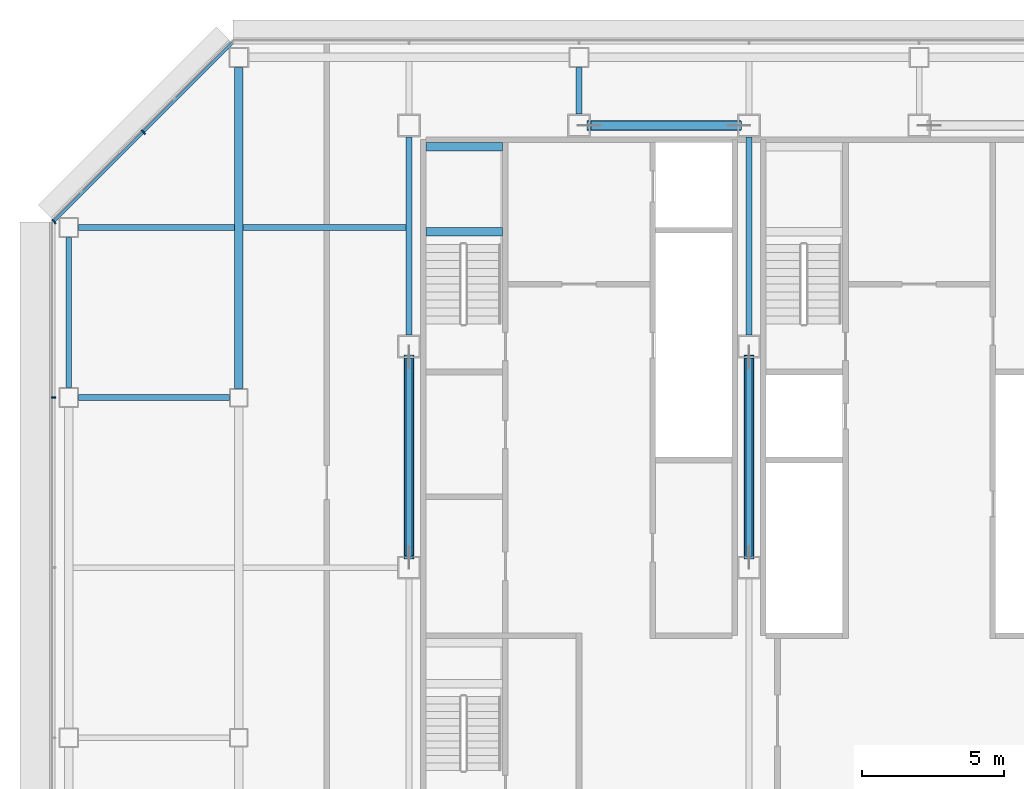
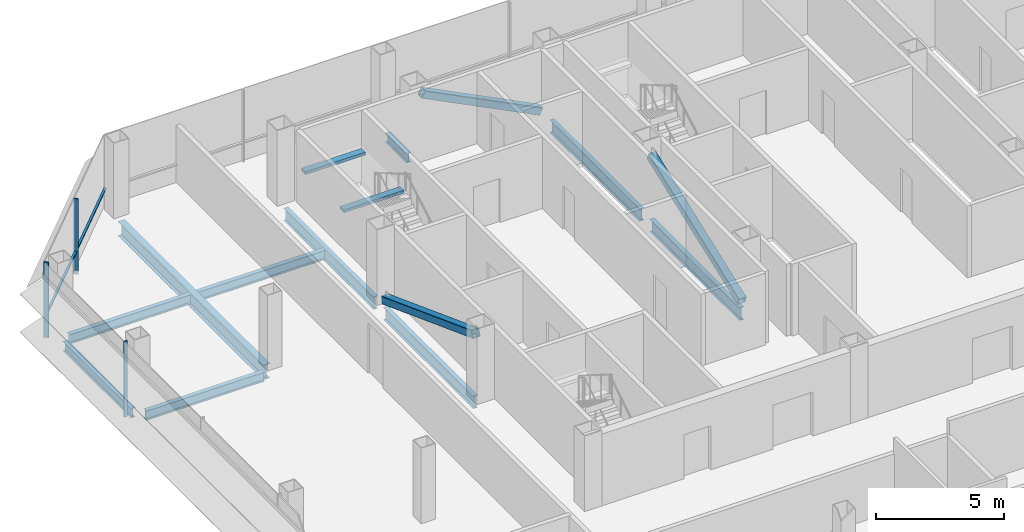
# One storey, part 11 of 24: 12 beams, 7 members, 2 elements without a shape of their own.
"""IFC4 building model written with IfcOpenShell, lengths in metres."""

import ifcopenshell
import ifcopenshell.guid

model = None  # the IFC model being written
_history = None  # IfcOwnerHistory: only IFC2X3 demands one
_inside = {}  # id of a spatial element -> (the spatial element, [elements in it])
_under = {}  # id of a project, library or spatial element -> (it, [spatial elements below it])
_declared = {}  # id of a project -> (the project, [libraries it declares])
_typed = {}  # id of a type object -> (the type object, [elements of that type])
_made_of = {}  # id of a material, layer set ... -> (it, [elements and type objects made of it])


def new_model(schema):
    """Start an empty IFC model of exactly this schema.

    Asked for "IFC4X3", IfcOpenShell would pick the latest addendum, in which some entities
    have other attributes; the version numbers below select the first issue.
    IFC2X3 requires an IfcOwnerHistory on every rooted entity: one is made here for all.
    """
    global model, _history
    if schema == "IFC4X3":
        model = ifcopenshell.file(schema_version=(4, 3, 0, 0))
    else:
        model = ifcopenshell.file(schema=schema)
    _inside.clear()
    _under.clear()
    _declared.clear()
    _typed.clear()
    _made_of.clear()
    _history = None
    if model.schema == "IFC2X3":
        org = make("IfcOrganization", Name="unknown")
        user = make(
            "IfcPersonAndOrganization",
            ThePerson=make("IfcPerson", FamilyName="unknown"),
            TheOrganization=org,
        )
        app = make(
            "IfcApplication",
            ApplicationDeveloper=org,
            Version="unknown",
            ApplicationFullName="unknown",
            ApplicationIdentifier="unknown",
        )
        _history = make(
            "IfcOwnerHistory",
            OwningUser=user,
            OwningApplication=app,
            ChangeAction="ADDED",
            CreationDate=0,
        )
    return model


def make(cls, **values):
    """One entity of the class cls with the attributes given. An attribute that is None is left unset."""
    return model.create_entity(
        cls, **{name: value for name, value in values.items() if value is not None}
    )


def rooted(cls, **values):
    """An entity with a GlobalId (a new one), such as an element, a storey or a relation."""
    return make(cls, GlobalId=ifcopenshell.guid.new(), OwnerHistory=_history, **values)


def si_unit(unit_type, name, prefix=None):
    """IfcSIUnit, for example si_unit("LENGTHUNIT", "METRE", prefix="MILLI")."""
    return make("IfcSIUnit", UnitType=unit_type, Prefix=prefix, Name=name)


def assignment(units):
    """IfcUnitAssignment: the units of a project."""
    return None if units is None else make("IfcUnitAssignment", Units=units)


def point(xyz):
    """IfcCartesianPoint."""
    return None if xyz is None else make("IfcCartesianPoint", Coordinates=xyz)


def direction(xyz):
    """IfcDirection."""
    return None if xyz is None else make("IfcDirection", DirectionRatios=xyz)


def frame(location, z_axis=None, x_axis=None):
    """IfcAxis2Placement3D, a coordinate frame: its origin and axes. An axis left out is left unset."""
    return make(
        "IfcAxis2Placement3D",
        Location=point(location),
        Axis=direction(z_axis),
        RefDirection=direction(x_axis),
    )


def frame_2d(location, x_axis=None):
    """IfcAxis2Placement2D, a coordinate frame in the plane: its origin and x axis."""
    return make(
        "IfcAxis2Placement2D", Location=point(location), RefDirection=direction(x_axis)
    )


def origin():
    """The frame at (0, 0, 0) with its axes left unset."""
    return frame((0.0, 0.0, 0.0))


def origin_2d():
    """The frame at (0, 0) in the plane with its x axis left unset."""
    return frame_2d((0.0, 0.0))


def place(relative_to, where):
    """IfcLocalPlacement: puts the frame where relative to a parent placement (None: the world)."""
    return make(
        "IfcLocalPlacement", PlacementRelTo=relative_to, RelativePlacement=where
    )


def context(
    kind, dimensions, precision=None, world=None, true_north=None, identifier=None
):
    """IfcGeometricRepresentationContext, for example the 3D "Model" context."""
    return make(
        "IfcGeometricRepresentationContext",
        ContextIdentifier=identifier,
        ContextType=kind,
        CoordinateSpaceDimension=dimensions,
        Precision=precision,
        WorldCoordinateSystem=world,
        TrueNorth=true_north,
    )


def subcontext(parent, identifier, kind, view, scale=None):
    """IfcGeometricRepresentationSubContext, for example "Body" below "Model"."""
    return make(
        "IfcGeometricRepresentationSubContext",
        ContextIdentifier=identifier,
        ContextType=kind,
        ParentContext=parent,
        TargetScale=scale,
        TargetView=view,
    )


def project(units=None, contexts=None):
    """IfcProject with its units and contexts."""
    return rooted(
        "IfcProject",
        Name="project",
        RepresentationContexts=contexts,
        UnitsInContext=assignment(units),
    )


def spatial(cls, under=None, at=None, **own):
    """A site, building, storey or space (cls), placed at a placement, below another one or the project."""
    s = rooted(cls, ObjectPlacement=at, **own)
    if under is not None:
        _under.setdefault(under.id(), (under, []))[1].append(s)
    return s


def profile(cls, at=None, kind="AREA", **sizes):
    """A parametric profile (cls). Its sizes go by their IFC names, for example OverallWidth=200.0."""
    return make(cls, ProfileType=kind, Position=at, **sizes)


def rectangle(**sizes):
    """IfcRectangleProfileDef."""
    return profile("IfcRectangleProfileDef", **sizes)


def hollow_rectangle(**sizes):
    """IfcRectangleHollowProfileDef."""
    return profile("IfcRectangleHollowProfileDef", **sizes)


def i_section(**sizes):
    """IfcIShapeProfileDef."""
    return profile("IfcIShapeProfileDef", **sizes)


def extrude(swept, where, along, depth):
    """IfcExtrudedAreaSolid: the profile swept, set in the frame where, extruded along a direction by depth."""
    return make(
        "IfcExtrudedAreaSolid",
        SweptArea=swept,
        Position=where,
        ExtrudedDirection=direction(along),
        Depth=depth,
    )


def shape(context_of_items, identifier, shape_type, items):
    """IfcShapeRepresentation: the items that make up one representation, for example the "Body"."""
    return make(
        "IfcShapeRepresentation",
        ContextOfItems=context_of_items,
        RepresentationIdentifier=identifier,
        RepresentationType=shape_type,
        Items=items,
    )


def material(Name=None, Category=None):
    """IfcMaterial."""
    return make("IfcMaterial", Name=Name, Category=Category)


def material_profile(
    of_material, cross_section, Name=None, Category=None, Priority=None
):
    """IfcMaterialProfile: a cross section and its material."""
    return make(
        "IfcMaterialProfile",
        Name=Name,
        Material=of_material,
        Profile=cross_section,
        Priority=Priority,
        Category=Category,
    )


def profile_set(profiles, Name=None, composite=None):
    """IfcMaterialProfileSet."""
    return make(
        "IfcMaterialProfileSet",
        Name=Name,
        MaterialProfiles=profiles,
        CompositeProfile=composite,
    )


def made_of(thing, what):
    """Note that an element or type object is made of a material, layer set ...; save() writes the relation."""
    if what is not None:
        _made_of.setdefault(what.id(), (what, []))[1].append(thing)
    return thing


def type_object(cls, material=None, **own):
    """A type object (cls), such as IfcWallType, which elements share."""
    return made_of(rooted(cls, **own), material)


def element(
    cls,
    number,
    at=None,
    inside=None,
    cuts=None,
    type_object=None,
    material=None,
    context=None,
    identifier="Body",
    shape_type=None,
    held_by="IfcProductDefinitionShape",
    body=None,
    shapes=None,
    **own,
):
    """One element of the class cls, such as IfcWall. Its Tag is "e" and its number.

    at: its placement. inside: the storey or other place that contains it. cuts: it is an
    opening in that element (IfcRelVoidsElement). A single representation is given by context,
    identifier, shape_type and body (its items); several are given by shapes. held_by: the class
    of the entity that holds the representations. save() writes the other relations.
    """
    e = rooted(cls, Tag="e%d" % number, ObjectPlacement=at, **own)
    if body is not None:
        shapes = [shape(context, identifier, shape_type, body)]
    if shapes is not None:
        e.Representation = make(held_by, Representations=shapes)
    if inside is not None:
        _inside.setdefault(inside.id(), (inside, []))[1].append(e)
    if cuts is not None:
        rooted(
            "IfcRelVoidsElement", RelatingBuildingElement=cuts, RelatedOpeningElement=e
        )
    if type_object is not None:
        _typed.setdefault(type_object.id(), (type_object, []))[1].append(e)
    return made_of(e, material)


def aggregate(whole, parts):
    """IfcRelAggregates: a whole, such as a stair, and the parts it consists of."""
    return rooted("IfcRelAggregates", RelatingObject=whole, RelatedObjects=parts)


def save(model, path):
    """Write the relations noted so far, then the file.

    IfcRelAggregates (storeys below a building ...), IfcRelContainedInSpatialStructure (elements
    in a storey), IfcRelDefinesByType, IfcRelAssociatesMaterial and IfcRelDeclares: one each for
    every whole, place, type object, material and project.
    """
    for whole, parts in _under.values():
        aggregate(whole, parts)
    for where, things in _inside.values():
        rooted(
            "IfcRelContainedInSpatialStructure",
            RelatedElements=things,
            RelatingStructure=where,
        )
    for kind, things in _typed.values():
        rooted("IfcRelDefinesByType", RelatedObjects=things, RelatingType=kind)
    for what, things in _made_of.values():
        rooted("IfcRelAssociatesMaterial", RelatedObjects=things, RelatingMaterial=what)
    for by, libraries in _declared.values():
        rooted("IfcRelDeclares", RelatingContext=by, RelatedDefinitions=libraries)
    model.write(path)


model = new_model("IFC4")

# Units and contexts
model_context = context("Model", 3, precision=1e-05, world=origin(), true_north=direction((0.0, 1.0)))
body_context = subcontext(model_context, "Body", "Model", "MODEL_VIEW")
ifc_project = project(units=[si_unit("LENGTHUNIT", "METRE"), si_unit("AREAUNIT", "SQUARE_METRE"), si_unit("VOLUMEUNIT", "CUBIC_METRE"), si_unit("PLANEANGLEUNIT", "RADIAN"), si_unit("MASSUNIT", "GRAM", prefix="KILO")], contexts=[model_context])

# Site, building, storey
site_placement = place(None, origin())
site = spatial("IfcSite", under=ifc_project, at=site_placement, CompositionType="ELEMENT")
building_placement = place(site_placement, origin())
building = spatial("IfcBuilding", under=site, at=building_placement, Name="Sorahane Residences", CompositionType="ELEMENT")
storey_placement = place(building_placement, frame((0.0, 0.0, 170.800048828125)))
storey = spatial("IfcBuildingStorey", under=building, at=storey_placement, Name="L39", CompositionType="ELEMENT", Elevation=170.800048828125)

# Members
ifc_material_1 = material(Name="Steel Q355B", Category="steel")
ifc_material_profile_1 = material_profile(ifc_material_1, hollow_rectangle(XDim=0.35009765625, YDim=0.35009765625, WallThickness=0.01806640625, InnerFilletRadius=0.009033203125, OuterFilletRadius=0.027099609375, at=origin_2d()), Name="RHS 350x350x18")
ifc_profile_set_1 = profile_set([ifc_material_profile_1], Name="Steel Q355B")
member_type_1 = type_object("IfcMemberType", Name="Core brace RHS 350x350x18 Q355B", PredefinedType="BRACE", material=ifc_profile_set_1)
member_1_placement = place(storey_placement, frame((17.647216796875, 45.60009765625, 0.151123046875), z_axis=(-0.893039246852, 0.0, 0.449978781258), x_axis=(0.0, -1.0, 0.0)))
element("IfcMember", 1, at=member_1_placement, inside=storey, type_object=member_type_1, Name="Core brace L39 y45.6-2", PredefinedType="BRACE", context=body_context, shape_type="SweptSolid", body=[
    extrude(hollow_rectangle(XDim=0.35009765625, YDim=0.35009765625, WallThickness=0.01806640625, InnerFilletRadius=0.009033203125, OuterFilletRadius=0.027099609375, at=origin_2d()), origin(), (0.0, 0.0, 1.0), 5.928466796875),
])
for number, where, z_axis, x_axis, name in (
    (2, (6.0, 37.436767578125, 0.1611328125), (0.0, -0.936540224974, 0.350560133222), (1.0, 0.0, 0.0), "Core brace L39 x6-2"),
    (3, (18.0, 30.36328125, 0.1611328125), (0.0, 0.936540224974, 0.350560133222), (-1.0, 0.0, 0.0), "Core brace L39 x18-1"),
):
    element("IfcMember", number, at=place(storey_placement, frame(where, z_axis=z_axis, x_axis=x_axis)), inside=storey, type_object=member_type_1, Name=name, PredefinedType="BRACE", context=body_context, shape_type="SweptSolid", body=[
        extrude(hollow_rectangle(XDim=0.35009765625, YDim=0.35009765625, WallThickness=0.01806640625, InnerFilletRadius=0.009033203125, OuterFilletRadius=0.027099609375, at=origin_2d()), origin(), (0.0, 0.0, 1.0), 7.552734375),
    ])

# Curtain wall, member
ifc_material_2 = material(Name="Dark low-e glass and black anodised aluminium", Category="aluminium")
curtain_wall_type_1 = type_object("IfcCurtainWallType", Name="Curtain wall CW-1 Typical unitised wall", PredefinedType="NOTDEFINED", material=ifc_material_2)
curtain_wall_1_placement = place(storey_placement, origin())
curtain_wall_1 = element("IfcCurtainWall", 4, at=curtain_wall_1_placement, inside=storey, type_object=curtain_wall_type_1, Name="CW-1 curtain wall L39 W1", PredefinedType="NOTDEFINED")
ifc_material_3 = material(Name="Black anodised aluminium", Category="aluminium")
ifc_material_profile_2 = material_profile(ifc_material_3, rectangle(XDim=0.159912109375, YDim=0.050048828125, at=origin_2d()), Name="Curtain wall mullion CW-1 black anodised aluminium 50x160")
ifc_profile_set_2 = profile_set([ifc_material_profile_2], Name="Black anodised aluminium")
member_type_2 = type_object("IfcMemberType", Name="Curtain wall mullion CW-1 black anodised aluminium 50x160", PredefinedType="MULLION", material=ifc_profile_set_2)
member_2_placement = place(storey_placement, frame((-6.5400390625, 36.0, -0.179931640625), z_axis=(0.0, 0.0, 1.0), x_axis=(-1.0, 0.0, 0.0)))
member_2 = element("IfcMember", 5, at=member_2_placement, type_object=member_type_2, Name="CW-1 mullion L39 W1.2", PredefinedType="MULLION", context=body_context, shape_type="SweptSolid", body=[
    extrude(rectangle(XDim=0.159912109375, YDim=0.050048828125, at=origin_2d()), origin(), (0.0, 0.0, 1.0), 3.599853515625),
])
aggregate(curtain_wall_1, [member_2])

# Curtain wall, members
ifc_material_4 = material(Name="Dark low-e glass and black anodised aluminium", Category="aluminium")
curtain_wall_type_2 = type_object("IfcCurtainWallType", Name="Curtain wall CW-2 Chamfer unitised wall", PredefinedType="NOTDEFINED", material=ifc_material_4)
curtain_wall_2_placement = place(storey_placement, origin())
curtain_wall_2 = element("IfcCurtainWall", 6, at=curtain_wall_2_placement, inside=storey, type_object=curtain_wall_type_2, Name="CW-2 curtain wall L39 NW1", PredefinedType="NOTDEFINED")
ifc_material_5 = material(Name="Black anodised aluminium", Category="aluminium")
ifc_material_profile_3 = material_profile(ifc_material_5, rectangle(XDim=0.199951171875, YDim=0.050048828125, at=origin_2d()), Name="Curtain wall mullion CW-2 black anodised aluminium 50x200")
ifc_profile_set_3 = profile_set([ifc_material_profile_3], Name="Black anodised aluminium")
member_type_3 = type_object("IfcMemberType", Name="Curtain wall mullion CW-2 black anodised aluminium 50x200", PredefinedType="MULLION", material=ifc_profile_set_3)
member_3_placement = place(storey_placement, frame((-3.36767578125, 45.36767578125, -0.179931640625), z_axis=(0.0, 0.0, 1.0), x_axis=(-0.707106781187, 0.707106781187, 0.0)))
member_3 = element("IfcMember", 7, at=member_3_placement, type_object=member_type_3, Name="CW-2 mullion L39 NW1.2", PredefinedType="MULLION", context=body_context, shape_type="SweptSolid", body=[
    extrude(rectangle(XDim=0.199951171875, YDim=0.050048828125, at=origin_2d()), origin(), (0.0, 0.0, 1.0), 3.599853515625),
])
member_4_placement = place(storey_placement, frame((-6.525634765625, 42.209716796875, -0.179931640625), z_axis=(0.0, 0.0, 1.0), x_axis=(-0.707106781187, 0.707106781187, 0.0)))
member_4 = element("IfcMember", 8, at=member_4_placement, type_object=member_type_3, Name="CW-2 mullion L39 NW1.3", PredefinedType="MULLION", context=body_context, shape_type="SweptSolid", body=[
    extrude(rectangle(XDim=0.199951171875, YDim=0.050048828125, at=origin_2d()), origin(), (0.0, 0.0, 1.0), 3.599853515625),
])
ifc_material_6 = material(Name="Black anodised aluminium", Category="aluminium")
ifc_material_profile_4 = material_profile(ifc_material_6, rectangle(XDim=0.10009765625, YDim=0.06005859375, at=origin_2d()), Name="Curtain wall transom CW-2 black anodised aluminium 60x100")
ifc_profile_set_4 = profile_set([ifc_material_profile_4], Name="Black anodised aluminium")
member_type_4 = type_object("IfcMemberType", Name="Curtain wall transom CW-2 black anodised aluminium 60x100", PredefinedType="USERDEFINED", material=ifc_profile_set_4)
member_5_placement = place(storey_placement, frame((-0.234375, 48.51513671875, 0.89990234375), z_axis=(-0.707106781187, -0.707106781187, 0.0), x_axis=(0.707106781187, -0.707106781187, 0.0)))
member_5 = element("IfcMember", 9, at=member_5_placement, type_object=member_type_4, Name="CW-2 transom L39 NW1", ObjectType="TRANSOM", PredefinedType="USERDEFINED", context=body_context, shape_type="SweptSolid", body=[
    extrude(rectangle(XDim=0.10009765625, YDim=0.06005859375, at=origin_2d()), origin(), (0.0, 0.0, 1.0), 8.88232421875),
])
aggregate(curtain_wall_2, [member_3, member_4, member_5])

# Beams
ifc_material_7 = material(Name="Concrete C40", Category="concrete")
ifc_material_profile_5 = material_profile(ifc_material_7, rectangle(XDim=0.300048828125, YDim=0.139892578125, at=origin_2d()), Name="300x140")
ifc_profile_set_5 = profile_set([ifc_material_profile_5], Name="Concrete C40")
beam_type_1 = type_object("IfcBeamType", Name="RC landing beam 300 x 140 Concrete C40", PredefinedType="BEAM", material=ifc_profile_set_5)
for number, where, z_axis, x_axis, name in (
    (10, (6.60009765625, 41.85009765625, 1.530029296875), (1.0, 0.0, 0.0), (0.0, 1.0, 0.0), "Landing beam"),
    (11, (6.60009765625, 44.85009765625, 1.530029296875), (1.0, 0.0, 0.0), (0.0, 1.0, 0.0), "Landing beam"),
):
    element("IfcBeam", number, at=place(storey_placement, frame(where, z_axis=z_axis, x_axis=x_axis)), inside=storey, type_object=beam_type_1, Name=name, PredefinedType="BEAM", context=body_context, shape_type="SweptSolid", body=[
        extrude(rectangle(XDim=0.300048828125, YDim=0.139892578125, at=origin_2d()), origin(), (0.0, 0.0, 1.0), 2.699951171875),
    ])
ifc_material_8 = material(Name="Steel Q355B", Category="steel")
ifc_material_profile_6 = material_profile(ifc_material_8, i_section(OverallWidth=0.199951171875, OverallDepth=0.449951171875, WebThickness=0.009033203125, FlangeThickness=0.013916015625, FilletRadius=0.02001953125, at=origin_2d()), Name="HN 450x200x9x14")
ifc_profile_set_6 = profile_set([ifc_material_profile_6], Name="Steel Q355B")
beam_type_2 = type_object("IfcBeamType", Name="Steel floor beam HN 450x200x9x14 Q355B", PredefinedType="BEAM", material=ifc_profile_set_6)
beam_1_placement = place(storey_placement, frame((-5.64990234375, 36.0, -0.405029296875), z_axis=(1.0, 0.0, 0.0), x_axis=(0.0, 1.0, 0.0)))
element("IfcBeam", 12, at=beam_1_placement, inside=storey, type_object=beam_type_2, Name="Beam L39 013", PredefinedType="BEAM", context=body_context, shape_type="SweptSolid", body=[
    extrude(i_section(OverallWidth=0.199951171875, OverallDepth=0.449951171875, WebThickness=0.009033203125, FlangeThickness=0.013916015625, FilletRadius=0.02001953125, at=origin_2d()), origin(), (0.0, 0.0, 1.0), 5.324951171875),
])
beam_2_placement = place(storey_placement, frame((-6.0, 36.35009765625, -0.405029296875), z_axis=(0.0, 1.0, 0.0), x_axis=(-1.0, 0.0, 0.0)))
element("IfcBeam", 13, at=beam_2_placement, inside=storey, type_object=beam_type_2, Name="Beam L39 023", PredefinedType="BEAM", context=body_context, shape_type="SweptSolid", body=[
    extrude(i_section(OverallWidth=0.199951171875, OverallDepth=0.449951171875, WebThickness=0.009033203125, FlangeThickness=0.013916015625, FilletRadius=0.02001953125, at=origin_2d()), origin(), (0.0, 0.0, 1.0), 5.2998046875),
])
beam_3_placement = place(storey_placement, frame((12.0, 46.0, -0.405029296875), z_axis=(0.0, 1.0, 0.0), x_axis=(-1.0, 0.0, 0.0)))
element("IfcBeam", 14, at=beam_3_placement, inside=storey, type_object=beam_type_2, Name="Beam L39 035", PredefinedType="BEAM", context=body_context, shape_type="SweptSolid", body=[
    extrude(i_section(OverallWidth=0.199951171875, OverallDepth=0.449951171875, WebThickness=0.009033203125, FlangeThickness=0.013916015625, FilletRadius=0.02001953125, at=origin_2d()), origin(), (0.0, 0.0, 1.0), 1.64990234375),
])
beam_4_placement = place(storey_placement, frame((-5.64990234375, 42.0, -0.405029296875), z_axis=(1.0, 0.0, 0.0), x_axis=(0.0, 1.0, 0.0)))
element("IfcBeam", 15, at=beam_4_placement, inside=storey, type_object=beam_type_2, Name="Beam L39 089", PredefinedType="BEAM", context=body_context, shape_type="SweptSolid", body=[
    extrude(i_section(OverallWidth=0.199951171875, OverallDepth=0.449951171875, WebThickness=0.009033203125, FlangeThickness=0.013916015625, FilletRadius=0.02001953125, at=origin_2d()), origin(), (0.0, 0.0, 1.0), 5.5),
])
beam_5_placement = place(storey_placement, frame((0.14990234375, 42.0, -0.405029296875), z_axis=(1.0, 0.0, 0.0), x_axis=(0.0, 1.0, 0.0)))
element("IfcBeam", 16, at=beam_5_placement, inside=storey, type_object=beam_type_2, Name="Beam L39 090", PredefinedType="BEAM", context=body_context, shape_type="SweptSolid", body=[
    extrude(i_section(OverallWidth=0.199951171875, OverallDepth=0.449951171875, WebThickness=0.009033203125, FlangeThickness=0.013916015625, FilletRadius=0.02001953125, at=origin_2d()), origin(), (0.0, 0.0, 1.0), 5.75),
])
ifc_material_9 = material(Name="Steel Q355B", Category="steel")
ifc_material_profile_7 = material_profile(ifc_material_9, i_section(OverallWidth=0.199951171875, OverallDepth=0.60009765625, WebThickness=0.010986328125, FlangeThickness=0.01708984375, FilletRadius=0.02392578125, at=origin_2d()), Name="HN 600x200x11x17")
ifc_profile_set_7 = profile_set([ifc_material_profile_7], Name="Steel Q355B")
beam_type_3 = type_object("IfcBeamType", Name="Steel floor beam HN 600x200x11x17 Q355B", PredefinedType="BEAM", material=ifc_profile_set_7)
for number, where, z_axis, x_axis, name in (
    (17, (6.0, 30.39990234375, -0.47998046875), (0.0, 1.0, 0.0), (-1.0, 0.0, 0.0), "Beam L39 031"),
    (18, (6.0, 38.199951171875, -0.47998046875), (0.0, 1.0, 0.0), (-1.0, 0.0, 0.0), "Beam L39 032"),
    (19, (18.0, 30.39990234375, -0.47998046875), (0.0, 1.0, 0.0), (-1.0, 0.0, 0.0), "Beam L39 039"),
    (20, (18.0, 38.199951171875, -0.47998046875), (0.0, 1.0, 0.0), (-1.0, 0.0, 0.0), "Beam L39 040"),
):
    element("IfcBeam", number, at=place(storey_placement, frame(where, z_axis=z_axis, x_axis=x_axis)), inside=storey, type_object=beam_type_3, Name=name, PredefinedType="BEAM", context=body_context, shape_type="SweptSolid", body=[
        extrude(i_section(OverallWidth=0.199951171875, OverallDepth=0.60009765625, WebThickness=0.010986328125, FlangeThickness=0.01708984375, FilletRadius=0.02392578125, at=origin_2d()), origin(), (0.0, 0.0, 1.0), 7.0),
    ])
ifc_material_10 = material(Name="Steel Q355B", Category="steel")
ifc_material_profile_8 = material_profile(ifc_material_10, i_section(OverallWidth=0.300048828125, OverallDepth=0.699951171875, WebThickness=0.012939453125, FlangeThickness=0.02392578125, FilletRadius=0.028076171875, at=origin_2d()), Name="HN 700x300x13x24")
ifc_profile_set_8 = profile_set([ifc_material_profile_8], Name="Steel Q355B")
beam_type_4 = type_object("IfcBeamType", Name="Steel floor beam HN 700x300x13x24 Q355B", PredefinedType="BEAM", material=ifc_profile_set_8)
beam_6_placement = place(storey_placement, frame((0.0, 36.324951171875, -0.530029296875), z_axis=(0.0, 1.0, 0.0), x_axis=(-1.0, 0.0, 0.0)))
element("IfcBeam", 21, at=beam_6_placement, inside=storey, type_object=beam_type_4, Name="Beam L39 027", PredefinedType="BEAM", context=body_context, shape_type="SweptSolid", body=[
    extrude(i_section(OverallWidth=0.300048828125, OverallDepth=0.699951171875, WebThickness=0.012939453125, FlangeThickness=0.02392578125, FilletRadius=0.028076171875, at=origin_2d()), origin(), (0.0, 0.0, 1.0), 11.324951171875),
])

save(model, "model.ifc")
